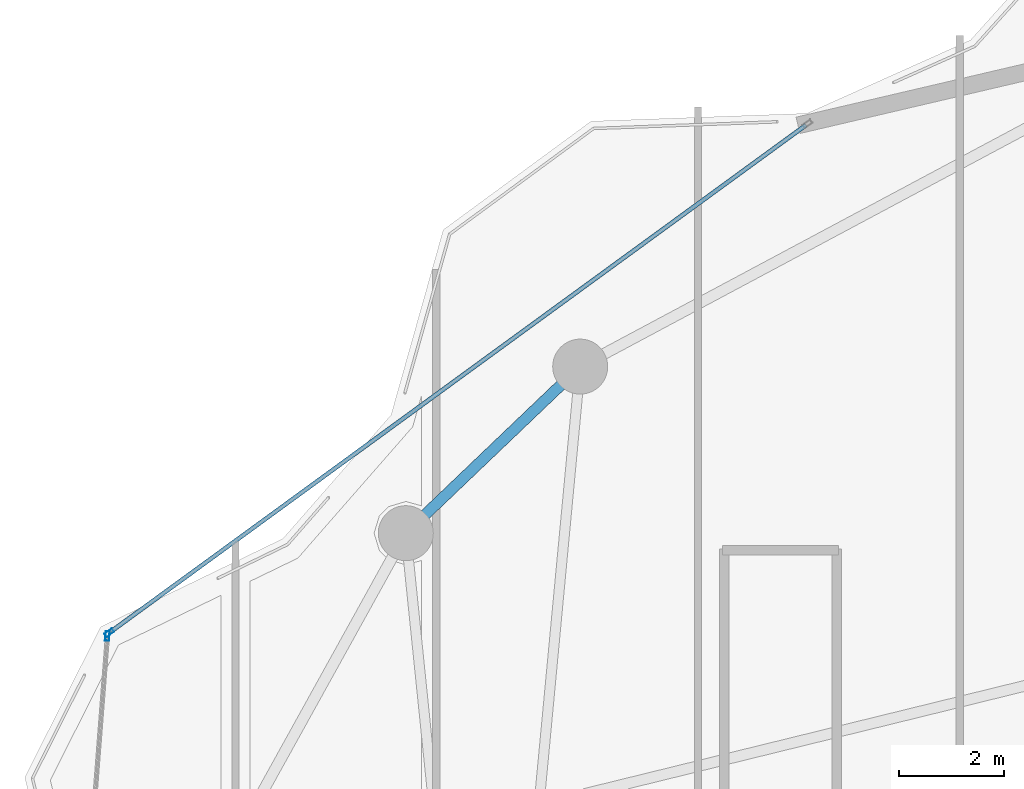
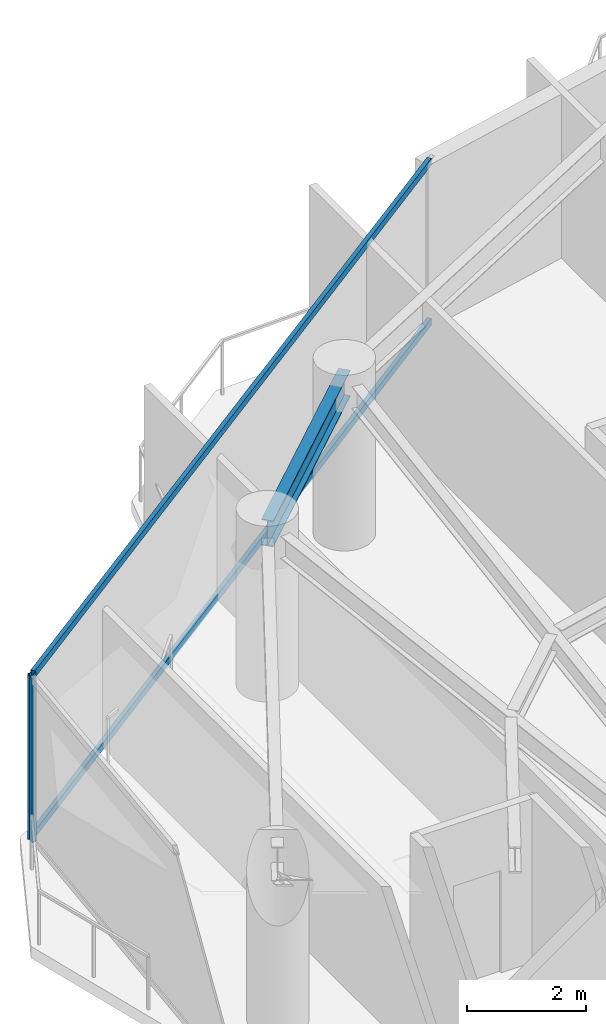
# One storey, part 17 of 31: 4 members, 1 beam, 2 elements without a shape of their own.
"""IFC4 building model written with IfcOpenShell, lengths in metres."""

import ifcopenshell
import ifcopenshell.guid

model = None  # the IFC model being written
_history = None  # IfcOwnerHistory: only IFC2X3 demands one
_inside = {}  # id of a spatial element -> (the spatial element, [elements in it])
_under = {}  # id of a project, library or spatial element -> (it, [spatial elements below it])
_declared = {}  # id of a project -> (the project, [libraries it declares])
_typed = {}  # id of a type object -> (the type object, [elements of that type])
_made_of = {}  # id of a material, layer set ... -> (it, [elements and type objects made of it])


def new_model(schema):
    """Start an empty IFC model of exactly this schema.

    Asked for "IFC4X3", IfcOpenShell would pick the latest addendum, in which some entities
    have other attributes; the version numbers below select the first issue.
    IFC2X3 requires an IfcOwnerHistory on every rooted entity: one is made here for all.
    """
    global model, _history
    if schema == "IFC4X3":
        model = ifcopenshell.file(schema_version=(4, 3, 0, 0))
    else:
        model = ifcopenshell.file(schema=schema)
    _inside.clear()
    _under.clear()
    _declared.clear()
    _typed.clear()
    _made_of.clear()
    _history = None
    if model.schema == "IFC2X3":
        org = make("IfcOrganization", Name="unknown")
        user = make(
            "IfcPersonAndOrganization",
            ThePerson=make("IfcPerson", FamilyName="unknown"),
            TheOrganization=org,
        )
        app = make(
            "IfcApplication",
            ApplicationDeveloper=org,
            Version="unknown",
            ApplicationFullName="unknown",
            ApplicationIdentifier="unknown",
        )
        _history = make(
            "IfcOwnerHistory",
            OwningUser=user,
            OwningApplication=app,
            ChangeAction="ADDED",
            CreationDate=0,
        )
    return model


def make(cls, **values):
    """One entity of the class cls with the attributes given. An attribute that is None is left unset."""
    return model.create_entity(
        cls, **{name: value for name, value in values.items() if value is not None}
    )


def rooted(cls, **values):
    """An entity with a GlobalId (a new one), such as an element, a storey or a relation."""
    return make(cls, GlobalId=ifcopenshell.guid.new(), OwnerHistory=_history, **values)


def si_unit(unit_type, name, prefix=None):
    """IfcSIUnit, for example si_unit("LENGTHUNIT", "METRE", prefix="MILLI")."""
    return make("IfcSIUnit", UnitType=unit_type, Prefix=prefix, Name=name)


def assignment(units):
    """IfcUnitAssignment: the units of a project."""
    return None if units is None else make("IfcUnitAssignment", Units=units)


def point(xyz):
    """IfcCartesianPoint."""
    return None if xyz is None else make("IfcCartesianPoint", Coordinates=xyz)


def direction(xyz):
    """IfcDirection."""
    return None if xyz is None else make("IfcDirection", DirectionRatios=xyz)


def frame(location, z_axis=None, x_axis=None):
    """IfcAxis2Placement3D, a coordinate frame: its origin and axes. An axis left out is left unset."""
    return make(
        "IfcAxis2Placement3D",
        Location=point(location),
        Axis=direction(z_axis),
        RefDirection=direction(x_axis),
    )


def frame_2d(location, x_axis=None):
    """IfcAxis2Placement2D, a coordinate frame in the plane: its origin and x axis."""
    return make(
        "IfcAxis2Placement2D", Location=point(location), RefDirection=direction(x_axis)
    )


def origin():
    """The frame at (0, 0, 0) with its axes left unset."""
    return frame((0.0, 0.0, 0.0))


def origin_2d():
    """The frame at (0, 0) in the plane with its x axis left unset."""
    return frame_2d((0.0, 0.0))


def place(relative_to, where):
    """IfcLocalPlacement: puts the frame where relative to a parent placement (None: the world)."""
    return make(
        "IfcLocalPlacement", PlacementRelTo=relative_to, RelativePlacement=where
    )


def context(
    kind, dimensions, precision=None, world=None, true_north=None, identifier=None
):
    """IfcGeometricRepresentationContext, for example the 3D "Model" context."""
    return make(
        "IfcGeometricRepresentationContext",
        ContextIdentifier=identifier,
        ContextType=kind,
        CoordinateSpaceDimension=dimensions,
        Precision=precision,
        WorldCoordinateSystem=world,
        TrueNorth=true_north,
    )


def subcontext(parent, identifier, kind, view, scale=None):
    """IfcGeometricRepresentationSubContext, for example "Body" below "Model"."""
    return make(
        "IfcGeometricRepresentationSubContext",
        ContextIdentifier=identifier,
        ContextType=kind,
        ParentContext=parent,
        TargetScale=scale,
        TargetView=view,
    )


def project(units=None, contexts=None):
    """IfcProject with its units and contexts."""
    return rooted(
        "IfcProject",
        Name="project",
        RepresentationContexts=contexts,
        UnitsInContext=assignment(units),
    )


def spatial(cls, under=None, at=None, **own):
    """A site, building, storey or space (cls), placed at a placement, below another one or the project."""
    s = rooted(cls, ObjectPlacement=at, **own)
    if under is not None:
        _under.setdefault(under.id(), (under, []))[1].append(s)
    return s


def profile(cls, at=None, kind="AREA", **sizes):
    """A parametric profile (cls). Its sizes go by their IFC names, for example OverallWidth=200.0."""
    return make(cls, ProfileType=kind, Position=at, **sizes)


def hollow_rectangle(**sizes):
    """IfcRectangleHollowProfileDef."""
    return profile("IfcRectangleHollowProfileDef", **sizes)


def i_section(**sizes):
    """IfcIShapeProfileDef."""
    return profile("IfcIShapeProfileDef", **sizes)


def extrude(swept, where, along, depth):
    """IfcExtrudedAreaSolid: the profile swept, set in the frame where, extruded along a direction by depth."""
    return make(
        "IfcExtrudedAreaSolid",
        SweptArea=swept,
        Position=where,
        ExtrudedDirection=direction(along),
        Depth=depth,
    )


def shape(context_of_items, identifier, shape_type, items):
    """IfcShapeRepresentation: the items that make up one representation, for example the "Body"."""
    return make(
        "IfcShapeRepresentation",
        ContextOfItems=context_of_items,
        RepresentationIdentifier=identifier,
        RepresentationType=shape_type,
        Items=items,
    )


def material(Name=None, Category=None):
    """IfcMaterial."""
    return make("IfcMaterial", Name=Name, Category=Category)


def layer(
    of_material, thickness, ventilated=None, Name=None, Category=None, Priority=None
):
    """IfcMaterialLayer: one layer of a wall or slab, of a material (None: an air gap)."""
    return make(
        "IfcMaterialLayer",
        Material=of_material,
        LayerThickness=thickness,
        IsVentilated=ventilated,
        Name=Name,
        Category=Category,
        Priority=Priority,
    )


def layer_set(layers, Name=None):
    """IfcMaterialLayerSet."""
    return make("IfcMaterialLayerSet", MaterialLayers=layers, LayerSetName=Name)


def material_profile(
    of_material, cross_section, Name=None, Category=None, Priority=None
):
    """IfcMaterialProfile: a cross section and its material."""
    return make(
        "IfcMaterialProfile",
        Name=Name,
        Material=of_material,
        Profile=cross_section,
        Priority=Priority,
        Category=Category,
    )


def profile_set(profiles, Name=None, composite=None):
    """IfcMaterialProfileSet."""
    return make(
        "IfcMaterialProfileSet",
        Name=Name,
        MaterialProfiles=profiles,
        CompositeProfile=composite,
    )


def made_of(thing, what):
    """Note that an element or type object is made of a material, layer set ...; save() writes the relation."""
    if what is not None:
        _made_of.setdefault(what.id(), (what, []))[1].append(thing)
    return thing


def type_object(cls, material=None, **own):
    """A type object (cls), such as IfcWallType, which elements share."""
    return made_of(rooted(cls, **own), material)


def element(
    cls,
    number,
    at=None,
    inside=None,
    cuts=None,
    type_object=None,
    material=None,
    context=None,
    identifier="Body",
    shape_type=None,
    held_by="IfcProductDefinitionShape",
    body=None,
    shapes=None,
    **own,
):
    """One element of the class cls, such as IfcWall. Its Tag is "e" and its number.

    at: its placement. inside: the storey or other place that contains it. cuts: it is an
    opening in that element (IfcRelVoidsElement). A single representation is given by context,
    identifier, shape_type and body (its items); several are given by shapes. held_by: the class
    of the entity that holds the representations. save() writes the other relations.
    """
    e = rooted(cls, Tag="e%d" % number, ObjectPlacement=at, **own)
    if body is not None:
        shapes = [shape(context, identifier, shape_type, body)]
    if shapes is not None:
        e.Representation = make(held_by, Representations=shapes)
    if inside is not None:
        _inside.setdefault(inside.id(), (inside, []))[1].append(e)
    if cuts is not None:
        rooted(
            "IfcRelVoidsElement", RelatingBuildingElement=cuts, RelatedOpeningElement=e
        )
    if type_object is not None:
        _typed.setdefault(type_object.id(), (type_object, []))[1].append(e)
    return made_of(e, material)


def aggregate(whole, parts):
    """IfcRelAggregates: a whole, such as a stair, and the parts it consists of."""
    return rooted("IfcRelAggregates", RelatingObject=whole, RelatedObjects=parts)


def save(model, path):
    """Write the relations noted so far, then the file.

    IfcRelAggregates (storeys below a building ...), IfcRelContainedInSpatialStructure (elements
    in a storey), IfcRelDefinesByType, IfcRelAssociatesMaterial and IfcRelDeclares: one each for
    every whole, place, type object, material and project.
    """
    for whole, parts in _under.values():
        aggregate(whole, parts)
    for where, things in _inside.values():
        rooted(
            "IfcRelContainedInSpatialStructure",
            RelatedElements=things,
            RelatingStructure=where,
        )
    for kind, things in _typed.values():
        rooted("IfcRelDefinesByType", RelatedObjects=things, RelatingType=kind)
    for what, things in _made_of.values():
        rooted("IfcRelAssociatesMaterial", RelatedObjects=things, RelatingMaterial=what)
    for by, libraries in _declared.values():
        rooted("IfcRelDeclares", RelatingContext=by, RelatedDefinitions=libraries)
    model.write(path)


model = new_model("IFC4")

# Units and contexts
model_context = context("Model", 3, precision=1e-05, world=origin(), true_north=direction((0.0, 1.0)))
body_context = subcontext(model_context, "Body", "Model", "MODEL_VIEW")
ifc_project = project(units=[si_unit("LENGTHUNIT", "METRE"), si_unit("AREAUNIT", "SQUARE_METRE"), si_unit("VOLUMEUNIT", "CUBIC_METRE"), si_unit("PLANEANGLEUNIT", "RADIAN"), si_unit("MASSUNIT", "GRAM", prefix="KILO")], contexts=[model_context])

# Site, building, storey
site_placement = place(None, origin())
site = spatial("IfcSite", under=ifc_project, at=site_placement, CompositionType="ELEMENT")
building_placement = place(site_placement, origin())
building = spatial("IfcBuilding", under=site, at=building_placement, Name="Kazevale Care Tower and Concert Hall", CompositionType="ELEMENT")
storey_placement = place(building_placement, frame((0.0, 0.0, 202.800048828125)))
storey = spatial("IfcBuildingStorey", under=building, at=storey_placement, Name="L53", CompositionType="ELEMENT", Elevation=202.800048828125)

# Curtain wall, member
ifc_material_1 = material(Name="Aluminium 6063-T6 and Low-E Glass", Category="aluminium")
ifc_layer = layer(ifc_material_1, 0.179931640625)
ifc_layer_set = layer_set([ifc_layer], Name="Aluminium 6063-T6 and Low-E Glass")
curtain_wall_type = type_object("IfcCurtainWallType", Name="Waist & Upper Residential Curtain Wall CW-4", PredefinedType="NOTDEFINED", material=ifc_layer_set)
curtain_wall_1_placement = place(storey_placement, origin())
curtain_wall_1 = element("IfcCurtainWall", 1, at=curtain_wall_1_placement, inside=storey, type_object=curtain_wall_type, Name="cw:L53:f13", PredefinedType="NOTDEFINED")
ifc_material_2 = material(Name="Aluminium 6063-T6", Category="aluminium")
ifc_material_profile_1 = material_profile(ifc_material_2, hollow_rectangle(XDim=0.080078125, YDim=0.179931640625, WallThickness=0.0048828125, at=origin_2d()), Name="ALU80x180x5")
ifc_profile_set_1 = profile_set([ifc_material_profile_1], Name="Aluminium 6063-T6")
member_type_1 = type_object("IfcMemberType", Name="CW-4 Mullion ALU80x180x5", PredefinedType="MULLION", material=ifc_profile_set_1)
member_1_placement = place(storey_placement, frame((14.722900390625, 49.865234375, 0.0), z_axis=(0.0, 0.0, 1.0), x_axis=(-0.996989311372, 0.077539106325, 0.0)))
member_1 = element("IfcMember", 2, at=member_1_placement, type_object=member_type_1, Name="CW-4 mullion 2", PredefinedType="MULLION", context=body_context, shape_type="SweptSolid", body=[
    extrude(hollow_rectangle(XDim=0.080078125, YDim=0.179931640625, WallThickness=0.0048828125, at=origin_2d()), origin(), (0.0, 0.0, 1.0), 3.35986328125),
])
aggregate(curtain_wall_1, [member_1])

# Curtain wall, members
curtain_wall_2_placement = place(storey_placement, origin())
curtain_wall_2 = element("IfcCurtainWall", 3, at=curtain_wall_2_placement, inside=storey, type_object=curtain_wall_type, Name="cw:L53:f14", PredefinedType="NOTDEFINED")
member_2_placement = place(storey_placement, frame((14.75830078125, 49.928466796875, 0.0), z_axis=(0.0, 0.0, 1.0), x_axis=(-0.588910374145, 0.808198348937, 0.0)))
member_2 = element("IfcMember", 4, at=member_2_placement, type_object=member_type_1, Name="CW-4 mullion 1", PredefinedType="MULLION", context=body_context, shape_type="SweptSolid", body=[
    extrude(hollow_rectangle(XDim=0.080078125, YDim=0.179931640625, WallThickness=0.0048828125, at=origin_2d()), origin(), (0.0, 0.0, 1.0), 3.35986328125),
])
ifc_material_profile_2 = material_profile(ifc_material_2, hollow_rectangle(XDim=0.080078125, YDim=0.139892578125, WallThickness=0.00390625, at=origin_2d()), Name="ALU80x140x4")
ifc_profile_set_2 = profile_set([ifc_material_profile_2], Name="Aluminium 6063-T6")
member_type_2 = type_object("IfcMemberType", Name="CW-4 Transom ALU80x140x4", PredefinedType="USERDEFINED", material=ifc_profile_set_2)
member_3_placement = place(storey_placement, frame((14.790771484375, 49.9521484375, 0.0400390625), z_axis=(0.808197463946, 0.588911588672, 0.0), x_axis=(-0.588911588672, 0.808197463946, 0.0)))
member_3 = element("IfcMember", 5, at=member_3_placement, type_object=member_type_2, Name="CW-4 transom 1.1", ObjectType="TRANSOM", PredefinedType="USERDEFINED", context=body_context, shape_type="SweptSolid", body=[
    extrude(hollow_rectangle(XDim=0.080078125, YDim=0.139892578125, WallThickness=0.00390625, at=origin_2d()), origin(), (0.0, 0.0, 1.0), 16.416259765625),
])
member_4_placement = place(storey_placement, frame((14.790771484375, 49.9521484375, 3.320068359375), z_axis=(0.808197463946, 0.588911588672, 0.0), x_axis=(-0.588911588672, 0.808197463946, 0.0)))
member_4 = element("IfcMember", 6, at=member_4_placement, type_object=member_type_2, Name="CW-4 transom 1.2", ObjectType="TRANSOM", PredefinedType="USERDEFINED", context=body_context, shape_type="SweptSolid", body=[
    extrude(hollow_rectangle(XDim=0.080078125, YDim=0.139892578125, WallThickness=0.00390625, at=origin_2d()), origin(), (0.0, 0.0, 1.0), 16.416259765625),
])
aggregate(curtain_wall_2, [member_2, member_3, member_4])

# Beam
ifc_material_3 = material(Name="Steel ASTM A572 Gr 50", Category="steel")
ifc_material_profile_3 = material_profile(ifc_material_3, i_section(OverallWidth=0.208984375, OverallDepth=0.532958984375, WebThickness=0.01025390625, FlangeThickness=0.015625, at=origin_2d()), Name="W530x92")
ifc_profile_set_3 = profile_set([ifc_material_profile_3], Name="Steel ASTM A572 Gr 50")
beam_type = type_object("IfcBeamType", Name="Upper Ring Beam W530x92", PredefinedType="BEAM", material=ifc_profile_set_3)
beam_placement = place(storey_placement, frame((23.75, 55.010009765625, 3.093505859375), z_axis=(-0.723223118589, -0.690614451585, 0.0), x_axis=(0.690614451585, -0.723223118589, 0.0)))
element("IfcBeam", 7, at=beam_placement, inside=storey, type_object=beam_type, Name="beam:L53:ring:07", PredefinedType="BEAM", context=body_context, shape_type="SweptSolid", body=[
    extrude(i_section(OverallWidth=0.208984375, OverallDepth=0.532958984375, WebThickness=0.01025390625, FlangeThickness=0.015625, at=origin_2d()), origin(), (0.0, 0.0, 1.0), 4.6044921875),
])

save(model, "model.ifc")
